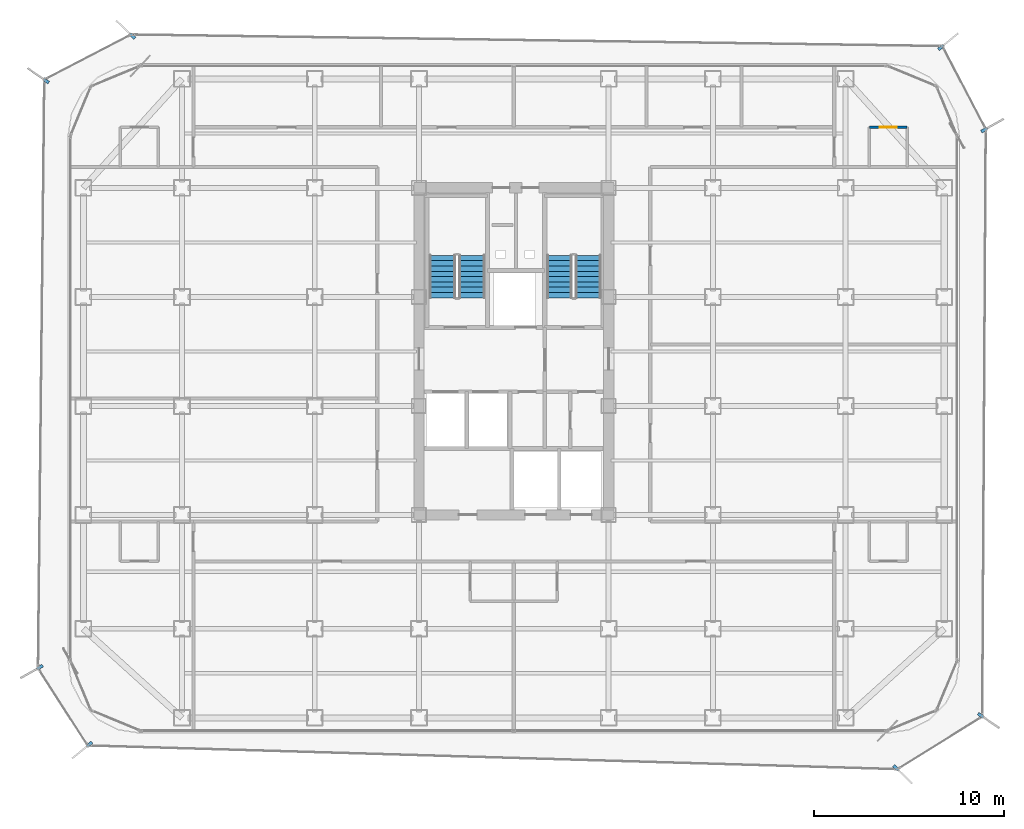
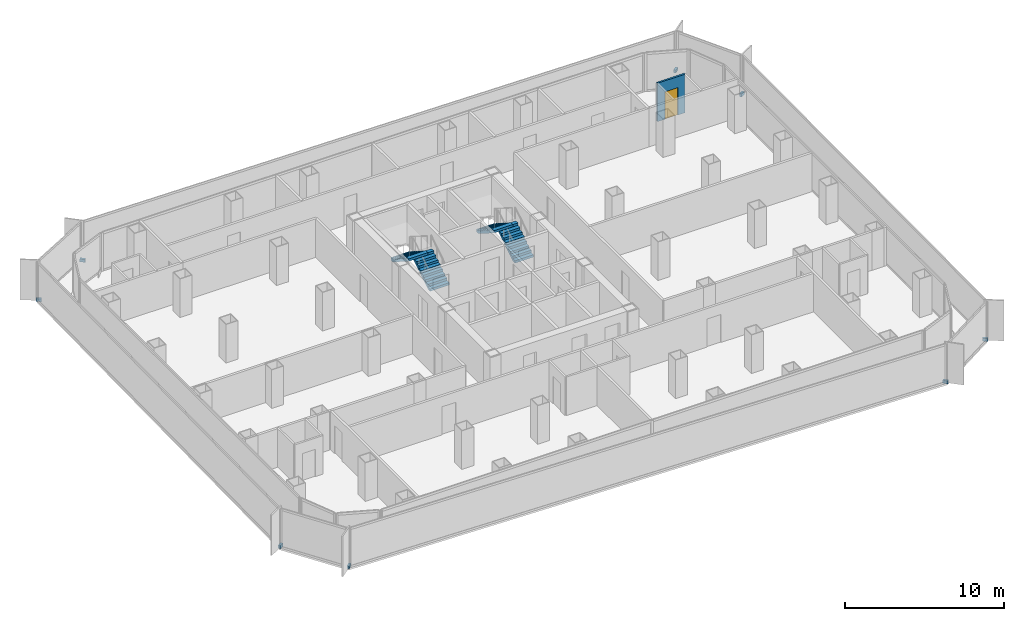
# One storey, part 18 of 21: 8 discrete accessories, 4 stair flights, 1 door, 1 wall, 1 opening, 2 elements without a shape of their own.
"""IFC4 building model written with IfcOpenShell, lengths in metres."""

from ifc_helpers import new_model, si_unit, direction, frame, frame_2d, origin, origin_2d, place, context, subcontext, project, spatial, polyline, rectangle, outline, extrude, source, transform, mapped, material, layer, layer_set, type_object, element, fill, aggregate, save


model = new_model("IFC4")

# Units and contexts
model_context = context("Model", 3, precision=1e-05, world=origin(), true_north=direction((0.0, 1.0)))
body_context = subcontext(model_context, "Body", "Model", "MODEL_VIEW")
ifc_project = project(units=[si_unit("LENGTHUNIT", "METRE"), si_unit("AREAUNIT", "SQUARE_METRE"), si_unit("VOLUMEUNIT", "CUBIC_METRE"), si_unit("PLANEANGLEUNIT", "RADIAN"), si_unit("MASSUNIT", "GRAM", prefix="KILO")], contexts=[model_context])

# Site, building, storey
site_placement = place(None, origin())
site = spatial("IfcSite", under=ifc_project, at=site_placement, CompositionType="ELEMENT")
building_placement = place(site_placement, origin())
building = spatial("IfcBuilding", under=site, at=building_placement, Name="Kolveth Station Tower", CompositionType="ELEMENT")
storey_placement = place(building_placement, frame((0.0, 0.0, 131.10009765625)))
storey = spatial("IfcBuildingStorey", under=building, at=storey_placement, Name="L36", CompositionType="ELEMENT", Elevation=131.10009765625)

# Wall, opening, door
ifc_material_1 = material(Name="Moisture-resistant gypsum partition")
ifc_layer_1 = layer(ifc_material_1, 0.135009765625)
ifc_layer_set_1 = layer_set([ifc_layer_1], Name="Moisture-resistant gypsum partition")
wall_type = type_object("IfcWallType", Name="Wall_IW-135", PredefinedType="PARTITIONING", material=ifc_layer_set_1)
wall_placement = place(storey_placement, frame((42.25, 31.949951171875, 0.0), z_axis=(0.0, 0.0, 1.0), x_axis=(1.0, 0.0, 0.0)))
wall = element("IfcWall", 1, at=wall_placement, inside=storey, type_object=wall_type, Name="L36 Partition Wall WL-L36-ES2-BH", PredefinedType="PARTITIONING", context=body_context, shape_type="SweptSolid", body=[
    extrude(rectangle(XDim=2.0, YDim=0.135009765625, at=frame_2d((1.0, 0.0))), origin(), (0.0, 0.0, 1.0), 2.949951171875),
])
opening_placement = place(wall_placement, frame((0.5400390625, 0.0, 0.0)))
opening = element("IfcOpeningElement", 2, at=opening_placement, cuts=wall, Name="Opening ID2", PredefinedType="OPENING", context=body_context, shape_type="SweptSolid", body=[
    extrude(rectangle(XDim=0.919921875, YDim=2.10009765625, at=frame_2d((0.4599609375, 1.050048828125))), frame((0.0, 0.077392578125, 0.0), z_axis=(0.0, -1.0, 0.0), x_axis=(1.0, 0.0, 0.0)), (0.0, 0.0, 1.0), 0.155029296875),
])
ifc_material_2 = material(Name="Moisture-resistant hardwood leaf", Category="wood")
door_type = type_object("IfcDoorType", Name="Door_ID2", OperationType="NOTDEFINED", PredefinedType="DOOR", material=ifc_material_2)
door_placement = place(opening_placement, frame((0.919921875, 0.0, 0.0), z_axis=(0.0, 0.0, 1.0), x_axis=(-1.0, 0.0, 0.0)))
door = element("IfcDoor", 3, at=door_placement, inside=storey, type_object=door_type, Name="L36 Hotel Guest Room ES2 En-Suite Door", OperationType="SINGLE_SWING_RIGHT", OverallHeight=2.10009765625, OverallWidth=0.919921875, PredefinedType="DOOR", context=body_context, shape_type="SweptSolid", body=[
    extrude(rectangle(XDim=0.919921875, YDim=2.10009765625, at=frame_2d((0.4599609375, 1.050048828125))), frame((0.0, 0.02490234375, 0.0), z_axis=(0.0, -1.0, 0.0), x_axis=(1.0, 0.0, 0.0)), (0.0, 0.0, 1.0), 0.050048828125),
])
fill(opening, door)

# Stair, stair flights
ifc_material_3 = material(Name="Concrete C40/50", Category="concrete")
stair_type_1 = type_object("IfcStairType", Name="Stair_ST1", PredefinedType="HALF_TURN_STAIR", material=ifc_material_3)
stair_1_placement = place(storey_placement, origin())
stair_1 = element("IfcStair", 4, at=stair_1_placement, inside=storey, type_object=stair_type_1, Name="L36 Tower Exit Stair ST1", PredefinedType="HALF_TURN_STAIR")
ifc_layer_2 = layer(ifc_material_3, 0.179931640625)
ifc_layer_set_2 = layer_set([ifc_layer_2], Name="Concrete C40/50")
stair_flight_type_1 = type_object("IfcStairFlightType", Name="Flight_ST1", PredefinedType="STRAIGHT", material=ifc_layer_set_2)
stair_flight_1_placement = place(storey_placement, frame((21.300048828125, 22.949951171875, 0.0), z_axis=(0.0, 0.0, 1.0), x_axis=(0.0, 1.0, 0.0)))
stair_flight_1 = element("IfcStairFlight", 5, at=stair_flight_1_placement, type_object=stair_flight_type_1, Name="ST1 flight 1", NumberOfRisers=9, NumberOfTreads=8, PredefinedType="STRAIGHT", RiserHeight=0.177777778, TreadLength=0.28, context=body_context, shape_type="SweptSolid", body=[
    extrude(outline(polyline([(0.0, 0.0), (0.0, 0.177734375), (0.280029296875, 0.177734375), (0.280029296875, 0.35546875), (0.56005859375, 0.35546875), (0.56005859375, 0.533447265625), (0.840087890625, 0.533447265625), (0.840087890625, 0.711181640625), (1.1201171875, 0.711181640625), (1.1201171875, 0.888916015625), (1.39990234375, 0.888916015625), (1.39990234375, 1.066650390625), (1.679931640625, 1.066650390625), (1.679931640625, 1.244384765625), (1.9599609375, 1.244384765625), (1.9599609375, 1.422119140625), (2.239990234375, 1.422119140625), (2.239990234375, 1.60009765625), (2.239990234375, 1.24462890625), (0.27978515625, 0.0), (0.0, 0.0)])), frame((0.0, 0.699951171875, 0.0), z_axis=(0.0, -1.0, 0.0), x_axis=(1.0, 0.0, 0.0)), (0.0, 0.0, 1.0), 1.39990234375),
])
stair_flight_2_placement = place(storey_placement, frame((19.739990234375, 25.18994140625, 1.599853515625), z_axis=(0.0, 0.0, 1.0), x_axis=(0.0, -1.0, 0.0)))
stair_flight_2 = element("IfcStairFlight", 6, at=stair_flight_2_placement, type_object=stair_flight_type_1, Name="ST1 flight 2", NumberOfRisers=9, NumberOfTreads=8, PredefinedType="STRAIGHT", RiserHeight=0.177777778, TreadLength=0.28, context=body_context, shape_type="SweptSolid", body=[
    extrude(outline(polyline([(0.0, 0.0), (0.0, 0.177734375), (0.280029296875, 0.177734375), (0.280029296875, 0.35546875), (0.56005859375, 0.35546875), (0.56005859375, 0.533447265625), (0.840087890625, 0.533447265625), (0.840087890625, 0.711181640625), (1.1201171875, 0.711181640625), (1.1201171875, 0.888916015625), (1.39990234375, 0.888916015625), (1.39990234375, 1.066650390625), (1.679931640625, 1.066650390625), (1.679931640625, 1.244384765625), (1.9599609375, 1.244384765625), (1.9599609375, 1.422119140625), (2.239990234375, 1.422119140625), (2.239990234375, 1.60009765625), (2.239990234375, 1.24462890625), (0.27978515625, 0.0), (0.0, 0.0)])), frame((0.0, 0.699951171875, 0.0), z_axis=(0.0, -1.0, 0.0), x_axis=(1.0, 0.0, 0.0)), (0.0, 0.0, 1.0), 1.39990234375),
])
aggregate(stair_1, [stair_flight_1, stair_flight_2])

stair_type_2 = type_object("IfcStairType", Name="Stair_ST2", PredefinedType="HALF_TURN_STAIR", material=ifc_material_3)
stair_2_placement = place(storey_placement, origin())
stair_2 = element("IfcStair", 7, at=stair_2_placement, inside=storey, type_object=stair_type_2, Name="L36 Tower Exit Stair ST2", PredefinedType="HALF_TURN_STAIR")
ifc_layer_3 = layer(ifc_material_3, 0.179931640625)
ifc_layer_set_3 = layer_set([ifc_layer_3], Name="Concrete C40/50")
stair_flight_type_2 = type_object("IfcStairFlightType", Name="Flight_ST2", PredefinedType="STRAIGHT", material=ifc_layer_set_3)
stair_flight_3_placement = place(storey_placement, frame((27.425048828125, 22.949951171875, 0.0), z_axis=(0.0, 0.0, 1.0), x_axis=(0.0, 1.0, 0.0)))
stair_flight_3 = element("IfcStairFlight", 8, at=stair_flight_3_placement, type_object=stair_flight_type_2, Name="ST2 flight 1", NumberOfRisers=9, NumberOfTreads=8, PredefinedType="STRAIGHT", RiserHeight=0.177777778, TreadLength=0.28, context=body_context, shape_type="SweptSolid", body=[
    extrude(outline(polyline([(0.0, 0.0), (0.0, 0.177734375), (0.280029296875, 0.177734375), (0.280029296875, 0.35546875), (0.56005859375, 0.35546875), (0.56005859375, 0.533447265625), (0.840087890625, 0.533447265625), (0.840087890625, 0.711181640625), (1.1201171875, 0.711181640625), (1.1201171875, 0.888916015625), (1.39990234375, 0.888916015625), (1.39990234375, 1.066650390625), (1.679931640625, 1.066650390625), (1.679931640625, 1.244384765625), (1.9599609375, 1.244384765625), (1.9599609375, 1.422119140625), (2.239990234375, 1.422119140625), (2.239990234375, 1.60009765625), (2.239990234375, 1.24462890625), (0.27978515625, 0.0), (0.0, 0.0)])), frame((0.0, 0.675048828125, 0.0), z_axis=(0.0, -1.0, 0.0), x_axis=(1.0, 0.0, 0.0)), (0.0, 0.0, 1.0), 1.35009765625),
])
stair_flight_4_placement = place(storey_placement, frame((25.9150390625, 25.18994140625, 1.599853515625), z_axis=(0.0, 0.0, 1.0), x_axis=(0.0, -1.0, 0.0)))
stair_flight_4 = element("IfcStairFlight", 9, at=stair_flight_4_placement, type_object=stair_flight_type_2, Name="ST2 flight 2", NumberOfRisers=9, NumberOfTreads=8, PredefinedType="STRAIGHT", RiserHeight=0.177777778, TreadLength=0.28, context=body_context, shape_type="SweptSolid", body=[
    extrude(outline(polyline([(0.0, 0.0), (0.0, 0.177734375), (0.280029296875, 0.177734375), (0.280029296875, 0.35546875), (0.56005859375, 0.35546875), (0.56005859375, 0.533447265625), (0.840087890625, 0.533447265625), (0.840087890625, 0.711181640625), (1.1201171875, 0.711181640625), (1.1201171875, 0.888916015625), (1.39990234375, 0.888916015625), (1.39990234375, 1.066650390625), (1.679931640625, 1.066650390625), (1.679931640625, 1.244384765625), (1.9599609375, 1.244384765625), (1.9599609375, 1.422119140625), (2.239990234375, 1.422119140625), (2.239990234375, 1.60009765625), (2.239990234375, 1.24462890625), (0.27978515625, 0.0), (0.0, 0.0)])), frame((0.0, 0.675048828125, 0.0), z_axis=(0.0, -1.0, 0.0), x_axis=(1.0, 0.0, 0.0)), (0.0, 0.0, 1.0), 1.35009765625),
])
aggregate(stair_2, [stair_flight_3, stair_flight_4])

# Discrete accessories
ifc_material_4 = material(Name="Steel S355", Category="steel")
discrete_accessory_type = type_object("IfcDiscreteAccessoryType", Name="Bracket_BK1", PredefinedType="BRACKET", material=ifc_material_4)
shared_shape = source(origin(), body_context, "Body", "SweptSolid", [
    extrude(rectangle(XDim=0.35009765625, YDim=0.159912109375, at=origin_2d()), origin(), (0.0, 0.0, 1.0), 0.219970703125),
])
for number, where, z_axis, x_axis, name in (
    (10, (43.662109375, -1.843017578125, -0.06005859375), (0.0, 0.0, 1.0), (0.718975979477, -0.695034920658, 0.0), "L36 Double-Skin Radial Tie Bracket 1"),
    (11, (48.131103515625, 0.924072265625, -0.06005859375), (0.0, 0.0, 1.0), (0.827276727994, -0.56179463803, 0.0), "L36 Double-Skin Radial Tie Bracket 2"),
    (12, (48.31103515625, 31.805908203125, -0.06005859375), (0.0, 0.0, 1.0), (0.868545027358, 0.495610265685, 0.0), "L36 Double-Skin Radial Tie Bracket 3"),
    (13, (46.031982421875, 36.159912109375, -0.06005859375), (0.0, 0.0, 1.0), (0.772733573497, 0.634730513202, 0.0), "L36 Double-Skin Radial Tie Bracket 4"),
    (14, (3.385986328125, 36.761962890625, -0.06005859375), (0.0, 0.0, 1.0), (-0.724893632131, 0.688860814748, 0.0), "L36 Double-Skin Radial Tie Bracket 5"),
    (15, (-1.169921875, 34.39892578125, -0.06005859375), (0.0, 0.0, 1.0), (-0.827374767055, 0.561650242447, 0.0), "L36 Double-Skin Radial Tie Bracket 6"),
    (16, (-1.498046875, 3.469970703125, -0.06005859375), (0.0, 0.0, 1.0), (-0.869839554062, -0.493334724289, 0.0), "L36 Double-Skin Radial Tie Bracket 7"),
    (17, (1.114990234375, -0.60107421875, -0.06005859375), (0.0, 0.0, 1.0), (-0.775054786824, -0.631894039711, 0.0), "L36 Double-Skin Radial Tie Bracket 8"),
):
    element("IfcDiscreteAccessory", number, at=place(storey_placement, frame(where, z_axis=z_axis, x_axis=x_axis)), inside=storey, type_object=discrete_accessory_type, Name=name, PredefinedType="BRACKET", context=body_context, shape_type="MappedRepresentation", body=[
        mapped(shared_shape, transform((0.0, 0.0, 0.0), x_axis=(1.0, 0.0, 0.0), y_axis=(0.0, 1.0, 0.0), z_axis=(0.0, 0.0, 1.0), scale=1.0)),
    ])

save(model, "model.ifc")
